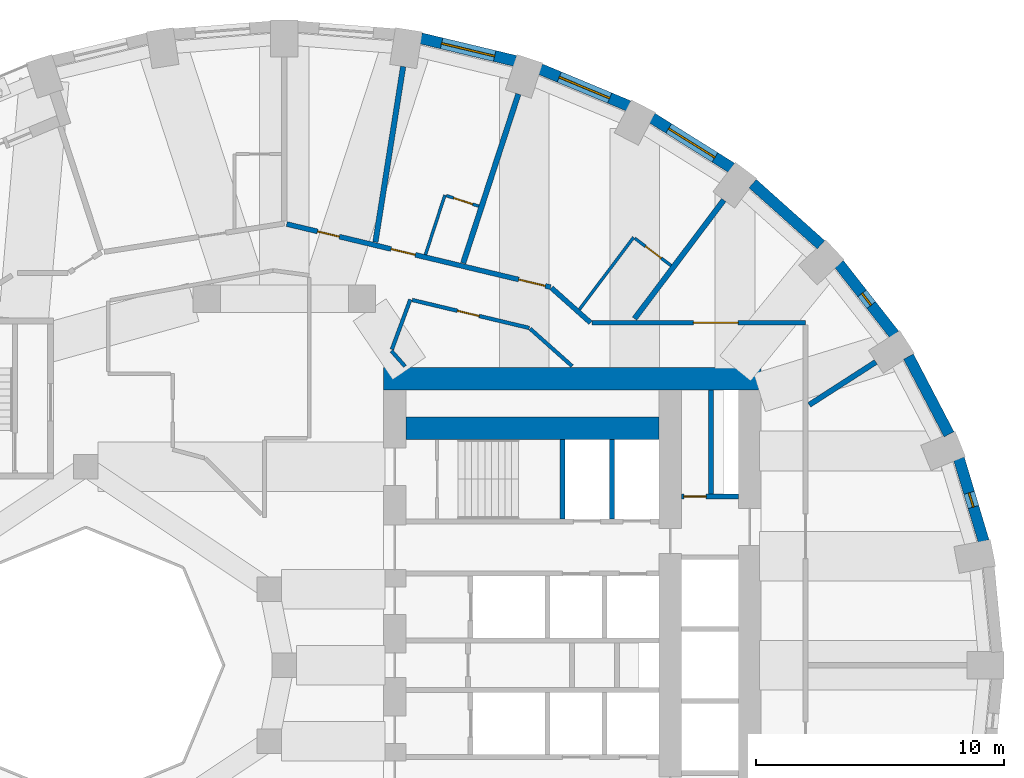
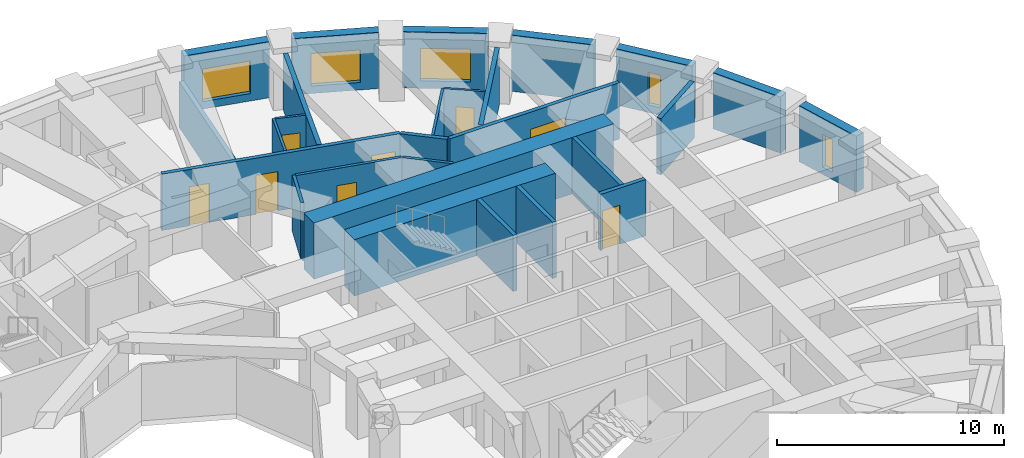
# One storey, part 9 of 13: 28 walls, 8 doors, 5 windows, 13 openings.
"""IFC4 building model written with IfcOpenShell, lengths in metres."""

from ifc_helpers import new_model, si_unit, direction, frame, frame_2d, origin, place, context, subcontext, project, spatial, rectangle, extrude, material, layer, layer_set, type_object, element, fill, save


model = new_model("IFC4")

# Units and contexts
model_context = context("Model", 3, precision=1e-05, world=origin(), true_north=direction((0.0, 1.0)))
body_context = subcontext(model_context, "Body", "Model", "MODEL_VIEW")
ifc_project = project(units=[si_unit("LENGTHUNIT", "METRE"), si_unit("AREAUNIT", "SQUARE_METRE"), si_unit("VOLUMEUNIT", "CUBIC_METRE"), si_unit("PLANEANGLEUNIT", "RADIAN"), si_unit("MASSUNIT", "GRAM", prefix="KILO")], contexts=[model_context])

# Site, building, storey
site_placement = place(None, origin())
site = spatial("IfcSite", under=ifc_project, at=site_placement, CompositionType="ELEMENT")
building_placement = place(site_placement, origin())
building = spatial("IfcBuilding", under=site, at=building_placement, Name="Taillehof Tower", CompositionType="ELEMENT")
storey_placement = place(building_placement, frame((0.0, 0.0, 48.10009765625)))
storey = spatial("IfcBuildingStorey", under=building, at=storey_placement, Name="L12", CompositionType="ELEMENT", Elevation=48.10009765625)

# Wall, opening, window
ifc_material_1 = material(Name="Brick masonry", Category="masonry")
ifc_layer_1 = layer(ifc_material_1, 0.449951171875)
ifc_layer_set_1 = layer_set([ifc_layer_1], Name="Brick infill wall 450")
wall_type_1 = type_object("IfcWallType", Name="Brick infill wall 450", PredefinedType="SOLIDWALL", material=ifc_layer_set_1)
wall_1_placement = place(storey_placement, frame((28.181884765625, 4.995849609375, 0.0), z_axis=(0.0, 0.0, 1.0), x_axis=(-0.287064133733, 0.957911364963, 0.0)))
wall_1 = element("IfcWall", 1, at=wall_1_placement, inside=storey, type_object=wall_type_1, Name="Brick wall L12 bay 2", PredefinedType="SOLIDWALL", context=body_context, shape_type="SweptSolid", body=[
    extrude(rectangle(XDim=3.473388671875, YDim=0.449951171875, at=frame_2d((1.73681640625, 0.0))), origin(), (0.0, 0.0, 1.0), 3.02001953125),
])
opening_1_placement = place(wall_1_placement, frame((1.436767578125, 0.0, 0.39990234375)))
opening_1 = element("IfcOpeningElement", 2, at=opening_1_placement, cuts=wall_1, Name="Opening W6", PredefinedType="OPENING", context=body_context, shape_type="SweptSolid", body=[
    extrude(rectangle(XDim=0.60009765625, YDim=1.75, at=frame_2d((0.300048828125, 0.875))), frame((0.0, 0.23486328125, 0.0), z_axis=(0.0, -1.0, 0.0), x_axis=(1.0, 0.0, 0.0)), (0.0, 0.0, 1.0), 0.469970703125),
])
ifc_material_2 = material(Name="Aluminium window frame with clear double glazing", Category="aluminium")
window_type_1 = type_object("IfcWindowType", Name="Slot window 600x1750", PartitioningType="SINGLE_PANEL", PredefinedType="WINDOW", material=ifc_material_2)
window_1_placement = place(opening_1_placement, origin())
window_1 = element("IfcWindow", 3, at=window_1_placement, inside=storey, type_object=window_type_1, Name="W6", OverallHeight=1.75, OverallWidth=0.60009765625, PartitioningType="SINGLE_PANEL", PredefinedType="WINDOW", context=body_context, shape_type="SweptSolid", body=[
    extrude(rectangle(XDim=0.60009765625, YDim=1.75, at=frame_2d((0.300048828125, 0.875))), frame((0.0, 0.034912109375, 0.0), z_axis=(0.0, -1.0, 0.0), x_axis=(1.0, 0.0, 0.0)), (0.0, 0.0, 1.0), 0.06005859375),
])
fill(opening_1, window_1)

# Wall
wall_2_placement = place(storey_placement, frame((26.78564453125, 9.30517578125, 0.0), z_axis=(0.0, 0.0, 1.0), x_axis=(-0.462492775226, 0.886623050041, 0.0)))
element("IfcWall", 4, at=wall_2_placement, inside=storey, type_object=wall_type_1, Name="Brick wall L12 bay 3", PredefinedType="SOLIDWALL", context=body_context, shape_type="SweptSolid", body=[
    extrude(rectangle(XDim=3.531982421875, YDim=0.449951171875, at=frame_2d((1.76611328125, 0.0))), origin(), (0.0, 0.0, 1.0), 3.02001953125),
])

# Wall, opening, window
wall_3_placement = place(storey_placement, frame((24.57763671875, 13.327880859375, 0.0), z_axis=(0.0, 0.0, 1.0), x_axis=(-0.616661975264, 0.787228053529, 0.0)))
wall_3 = element("IfcWall", 5, at=wall_3_placement, inside=storey, type_object=wall_type_1, Name="Brick wall L12 bay 4", PredefinedType="SOLIDWALL", context=body_context, shape_type="SweptSolid", body=[
    extrude(rectangle(XDim=3.60986328125, YDim=0.449951171875, at=frame_2d((1.804931640625, 0.0))), origin(), (0.0, 0.0, 1.0), 3.02001953125),
])
opening_2_placement = place(wall_3_placement, frame((1.5048828125, 0.0, 0.39990234375)))
opening_2 = element("IfcOpeningElement", 6, at=opening_2_placement, cuts=wall_3, Name="Opening W6", PredefinedType="OPENING", context=body_context, shape_type="SweptSolid", body=[
    extrude(rectangle(XDim=0.60009765625, YDim=1.75, at=frame_2d((0.300048828125, 0.875))), frame((0.0, 0.23486328125, 0.0), z_axis=(0.0, -1.0, 0.0), x_axis=(1.0, 0.0, 0.0)), (0.0, 0.0, 1.0), 0.469970703125),
])
window_2_placement = place(opening_2_placement, origin())
window_2 = element("IfcWindow", 7, at=window_2_placement, inside=storey, type_object=window_type_1, Name="W6", OverallHeight=1.75, OverallWidth=0.60009765625, PartitioningType="SINGLE_PANEL", PredefinedType="WINDOW", context=body_context, shape_type="SweptSolid", body=[
    extrude(rectangle(XDim=0.60009765625, YDim=1.75, at=frame_2d((0.300048828125, 0.875))), frame((0.0, 0.034912109375, 0.0), z_axis=(0.0, -1.0, 0.0), x_axis=(1.0, 0.0, 0.0)), (0.0, 0.0, 1.0), 0.06005859375),
])
fill(opening_2, window_2)

# Wall
wall_4_placement = place(storey_placement, frame((21.626708984375, 16.943115234375, 0.0), z_axis=(0.0, 0.0, 1.0), x_axis=(-0.745526233716, 0.66647628228, 0.0)))
element("IfcWall", 8, at=wall_4_placement, inside=storey, type_object=wall_type_1, Name="Brick wall L12 bay 5", PredefinedType="SOLIDWALL", context=body_context, shape_type="SweptSolid", body=[
    extrude(rectangle(XDim=3.69677734375, YDim=0.449951171875, at=frame_2d((1.848388671875, 0.0))), origin(), (0.0, 0.0, 1.0), 3.02001953125),
])

# Wall, opening, window
wall_5_placement = place(storey_placement, frame((18.02294921875, 20.043701171875, 0.0), z_axis=(0.0, 0.0, 1.0), x_axis=(-0.847635480093, 0.530579016629, 0.0)))
wall_5 = element("IfcWall", 9, at=wall_5_placement, inside=storey, type_object=wall_type_1, Name="Brick wall L12 bay 6", PredefinedType="SOLIDWALL", context=body_context, shape_type="SweptSolid", body=[
    extrude(rectangle(XDim=3.782470703125, YDim=0.449951171875, at=frame_2d((1.89111328125, 0.0))), origin(), (0.0, 0.0, 1.0), 3.02001953125),
])
opening_3_placement = place(wall_5_placement, frame((0.791259765625, 0.0, 0.39990234375)))
opening_3 = element("IfcOpeningElement", 10, at=opening_3_placement, cuts=wall_5, Name="Opening W1", PredefinedType="OPENING", context=body_context, shape_type="SweptSolid", body=[
    extrude(rectangle(XDim=2.199951171875, YDim=1.75, at=frame_2d((1.10009765625, 0.875))), frame((0.0, 0.23486328125, 0.0), z_axis=(0.0, -1.0, 0.0), x_axis=(1.0, 0.0, 0.0)), (0.0, 0.0, 1.0), 0.469970703125),
])
ifc_material_3 = material(Name="Aluminium window frame with clear double glazing", Category="aluminium")
window_type_2 = type_object("IfcWindowType", Name="Deep-set window 2200x1750", PartitioningType="SINGLE_PANEL", PredefinedType="WINDOW", material=ifc_material_3)
window_3_placement = place(opening_3_placement, origin())
window_3 = element("IfcWindow", 11, at=window_3_placement, inside=storey, type_object=window_type_2, Name="W1", OverallHeight=1.75, OverallWidth=2.199951171875, PartitioningType="SINGLE_PANEL", PredefinedType="WINDOW", context=body_context, shape_type="SweptSolid", body=[
    extrude(rectangle(XDim=2.199951171875, YDim=1.75, at=frame_2d((1.10009765625, 0.875))), frame((0.0, 0.034912109375, 0.0), z_axis=(0.0, -1.0, 0.0), x_axis=(1.0, 0.0, 0.0)), (0.0, 0.0, 1.0), 0.06005859375),
])
fill(opening_3, window_3)

wall_6_placement = place(storey_placement, frame((13.875, 22.537353515625, 0.0), z_axis=(0.0, 0.0, 1.0), x_axis=(-0.923031964282, 0.384723267966, 0.0)))
wall_6 = element("IfcWall", 12, at=wall_6_placement, inside=storey, type_object=wall_type_1, Name="Brick wall L12 bay 7", PredefinedType="SOLIDWALL", context=body_context, shape_type="SweptSolid", body=[
    extrude(rectangle(XDim=3.8564453125, YDim=0.449951171875, at=frame_2d((1.92822265625, 0.0))), origin(), (0.0, 0.0, 1.0), 3.02001953125),
])
opening_4_placement = place(wall_6_placement, frame((0.828125, 0.0, 0.39990234375)))
opening_4 = element("IfcOpeningElement", 13, at=opening_4_placement, cuts=wall_6, Name="Opening W1", PredefinedType="OPENING", context=body_context, shape_type="SweptSolid", body=[
    extrude(rectangle(XDim=2.199951171875, YDim=1.75, at=frame_2d((1.10009765625, 0.875))), frame((0.0, 0.23486328125, 0.0), z_axis=(0.0, -1.0, 0.0), x_axis=(1.0, 0.0, 0.0)), (0.0, 0.0, 1.0), 0.469970703125),
])
window_4_placement = place(opening_4_placement, origin())
window_4 = element("IfcWindow", 14, at=window_4_placement, inside=storey, type_object=window_type_2, Name="W1", OverallHeight=1.75, OverallWidth=2.199951171875, PartitioningType="SINGLE_PANEL", PredefinedType="WINDOW", context=body_context, shape_type="SweptSolid", body=[
    extrude(rectangle(XDim=2.199951171875, YDim=1.75, at=frame_2d((1.10009765625, 0.875))), frame((0.0, 0.034912109375, 0.0), z_axis=(0.0, -1.0, 0.0), x_axis=(1.0, 0.0, 0.0)), (0.0, 0.0, 1.0), 0.06005859375),
])
fill(opening_4, window_4)

wall_7_placement = place(storey_placement, frame((9.3076171875, 24.349609375, 0.0), z_axis=(0.0, 0.0, 1.0), x_axis=(-0.972496561493, 0.232917233979, 0.0)))
wall_7 = element("IfcWall", 15, at=wall_7_placement, inside=storey, type_object=wall_type_1, Name="Brick wall L12 bay 8", PredefinedType="SOLIDWALL", context=body_context, shape_type="SweptSolid", body=[
    extrude(rectangle(XDim=3.910888671875, YDim=0.449951171875, at=frame_2d((1.95556640625, 0.0))), origin(), (0.0, 0.0, 1.0), 3.02001953125),
])
opening_5_placement = place(wall_7_placement, frame((0.855224609375, 0.0, 0.39990234375)))
opening_5 = element("IfcOpeningElement", 16, at=opening_5_placement, cuts=wall_7, Name="Opening W1", PredefinedType="OPENING", context=body_context, shape_type="SweptSolid", body=[
    extrude(rectangle(XDim=2.199951171875, YDim=1.75, at=frame_2d((1.10009765625, 0.875))), frame((0.0, 0.23486328125, 0.0), z_axis=(0.0, -1.0, 0.0), x_axis=(1.0, 0.0, 0.0)), (0.0, 0.0, 1.0), 0.469970703125),
])
window_5_placement = place(opening_5_placement, origin())
window_5 = element("IfcWindow", 17, at=window_5_placement, inside=storey, type_object=window_type_2, Name="W1", OverallHeight=1.75, OverallWidth=2.199951171875, PartitioningType="SINGLE_PANEL", PredefinedType="WINDOW", context=body_context, shape_type="SweptSolid", body=[
    extrude(rectangle(XDim=2.199951171875, YDim=1.75, at=frame_2d((1.10009765625, 0.875))), frame((0.0, 0.034912109375, 0.0), z_axis=(0.0, -1.0, 0.0), x_axis=(1.0, 0.0, 0.0)), (0.0, 0.0, 1.0), 0.06005859375),
])
fill(opening_5, window_5)

# Wall, opening, door
ifc_material_4 = material(Name="Calcium silicate masonry", Category="masonry")
ifc_layer_2 = layer(ifc_material_4, 0.199951171875)
ifc_layer_set_2 = layer_set([ifc_layer_2], Name="Compartment wall calcium silicate 200")
wall_type_2 = type_object("IfcWallType", Name="Compartment wall calcium silicate 200", PredefinedType="PARTITIONING", material=ifc_layer_set_2)
wall_8_placement = place(storey_placement, frame((16.0, 6.800048828125, 0.0), z_axis=(0.0, 0.0, 1.0), x_axis=(1.0, 0.0, 0.0)))
wall_8 = element("IfcWall", 18, at=wall_8_placement, inside=storey, type_object=wall_type_2, Name="Compartment wall FW", PredefinedType="PARTITIONING", context=body_context, shape_type="SweptSolid", body=[
    extrude(rectangle(XDim=2.300048828125, YDim=0.199951171875, at=frame_2d((1.14990234375, 0.0))), origin(), (0.0, 0.0, 1.0), 3.02001953125),
])
opening_6_placement = place(wall_8_placement, frame((0.10009765625, 0.0, 0.0)))
opening_6 = element("IfcOpeningElement", 19, at=opening_6_placement, cuts=wall_8, Name="Opening D1216", PredefinedType="OPENING", context=body_context, shape_type="SweptSolid", body=[
    extrude(rectangle(XDim=0.89990234375, YDim=2.10009765625, at=frame_2d((0.449951171875, 1.050048828125))), frame((0.0, 0.10986328125, 0.0), z_axis=(0.0, -1.0, 0.0), x_axis=(1.0, 0.0, 0.0)), (0.0, 0.0, 1.0), 0.219970703125),
])
ifc_material_5 = material(Name="Steel-faced fire door", Category="steel")
door_type_1 = type_object("IfcDoorType", Name="Riser and service room door 900x2100", OperationType="SINGLE_SWING_LEFT", PredefinedType="DOOR", material=ifc_material_5)
door_1_placement = place(opening_6_placement, origin())
door_1 = element("IfcDoor", 20, at=door_1_placement, inside=storey, type_object=door_type_1, Name="Door Housekeeping Store", OperationType="SINGLE_SWING_RIGHT", OverallHeight=2.10009765625, OverallWidth=0.89990234375, PredefinedType="DOOR", context=body_context, shape_type="SweptSolid", body=[
    extrude(rectangle(XDim=0.89990234375, YDim=2.10009765625, at=frame_2d((0.449951171875, 1.050048828125))), frame((0.0, 0.02490234375, 0.0), z_axis=(0.0, -1.0, 0.0), x_axis=(1.0, 0.0, 0.0)), (0.0, 0.0, 1.0), 0.050048828125),
])
fill(opening_6, door_1)

# Wall
wall_9_placement = place(storey_placement, frame((17.199951171875, 6.89990234375, 0.0), z_axis=(0.0, 0.0, 1.0), x_axis=(0.0, 1.0, 0.0)))
element("IfcWall", 21, at=wall_9_placement, inside=storey, type_object=wall_type_2, Name="Compartment wall FW", PredefinedType="PARTITIONING", context=body_context, shape_type="SweptSolid", body=[
    extrude(rectangle(XDim=4.2001953125, YDim=0.199951171875, at=frame_2d((2.10009765625, 0.0))), origin(), (0.0, 0.0, 1.0), 3.02001953125),
])

# Wall, openings, doors
ifc_material_6 = material(Name="Gypsum board on steel studs, two layers each side", Category="steel")
ifc_layer_3 = layer(ifc_material_6, 0.199951171875)
ifc_layer_set_3 = layer_set([ifc_layer_3], Name="Compartment wall corridor 200")
wall_type_3 = type_object("IfcWallType", Name="Compartment wall corridor 200", PredefinedType="PARTITIONING", material=ifc_layer_set_3)
wall_10_placement = place(storey_placement, frame((0.09765625, 17.77685546875, 0.0), z_axis=(0.0, 0.0, 1.0), x_axis=(0.97258196627, -0.232560355362, 0.0)))
wall_10 = element("IfcWall", 22, at=wall_10_placement, inside=storey, type_object=wall_type_3, Name="Compartment wall", PredefinedType="PARTITIONING", context=body_context, shape_type="SweptSolid", body=[
    extrude(rectangle(XDim=10.9326171875, YDim=0.199951171875, at=frame_2d((5.46630859375, 0.0))), origin(), (0.0, 0.0, 1.0), 3.02001953125),
])
opening_7_placement = place(wall_10_placement, frame((9.612548828125, 0.0, 0.0)))
opening_7 = element("IfcOpeningElement", 23, at=opening_7_placement, cuts=wall_10, Name="Opening D1240", PredefinedType="OPENING", context=body_context, shape_type="SweptSolid", body=[
    extrude(rectangle(XDim=1.10009765625, YDim=2.10009765625, at=frame_2d((0.550048828125, 1.050048828125))), frame((0.0, 0.10986328125, 0.0), z_axis=(0.0, -1.0, 0.0), x_axis=(1.0, 0.0, 0.0)), (0.0, 0.0, 1.0), 0.219970703125),
])
opening_8_placement = place(wall_10_placement, frame((4.32470703125, 0.0, 0.0)))
opening_8 = element("IfcOpeningElement", 24, at=opening_8_placement, cuts=wall_10, Name="Opening D1242", PredefinedType="OPENING", context=body_context, shape_type="SweptSolid", body=[
    extrude(rectangle(XDim=1.0, YDim=2.10009765625, at=frame_2d((0.5, 1.050048828125))), frame((0.0, 0.10986328125, 0.0), z_axis=(0.0, -1.0, 0.0), x_axis=(1.0, 0.0, 0.0)), (0.0, 0.0, 1.0), 0.219970703125),
])
opening_9_placement = place(wall_10_placement, frame((1.27587890625, 0.0, 0.0)))
opening_9 = element("IfcOpeningElement", 25, at=opening_9_placement, cuts=wall_10, Name="Opening D1244", PredefinedType="OPENING", context=body_context, shape_type="SweptSolid", body=[
    extrude(rectangle(XDim=0.89990234375, YDim=2.10009765625, at=frame_2d((0.449951171875, 1.050048828125))), frame((0.0, 0.10986328125, 0.0), z_axis=(0.0, -1.0, 0.0), x_axis=(1.0, 0.0, 0.0)), (0.0, 0.0, 1.0), 0.219970703125),
])
ifc_material_7 = material(Name="Timber door leaf in steel frame", Category="steel")
door_type_2 = type_object("IfcDoorType", Name="Guest room door EI 30 1000 x 2100", OperationType="SINGLE_SWING_LEFT", PredefinedType="DOOR", material=ifc_material_7)
door_2_placement = place(opening_8_placement, origin())
door_2 = element("IfcDoor", 26, at=door_2_placement, inside=storey, type_object=door_type_2, Name="D1242", OperationType="SINGLE_SWING_RIGHT", OverallHeight=2.10009765625, OverallWidth=1.0, PredefinedType="DOOR", context=body_context, shape_type="SweptSolid", body=[
    extrude(rectangle(XDim=1.0, YDim=2.10009765625, at=frame_2d((0.5, 1.050048828125))), frame((0.0, 0.02490234375, 0.0), z_axis=(0.0, -1.0, 0.0), x_axis=(1.0, 0.0, 0.0)), (0.0, 0.0, 1.0), 0.050048828125),
])
fill(opening_8, door_2)
ifc_material_8 = material(Name="Timber door leaf in steel frame", Category="steel")
door_type_3 = type_object("IfcDoorType", Name="Service room door EI 30 900 x 2100", OperationType="SINGLE_SWING_LEFT", PredefinedType="DOOR", material=ifc_material_8)
door_3_placement = place(opening_9_placement, origin())
door_3 = element("IfcDoor", 27, at=door_3_placement, inside=storey, type_object=door_type_3, Name="D1244", OperationType="SINGLE_SWING_LEFT", OverallHeight=2.10009765625, OverallWidth=0.89990234375, PredefinedType="DOOR", context=body_context, shape_type="SweptSolid", body=[
    extrude(rectangle(XDim=0.89990234375, YDim=2.10009765625, at=frame_2d((0.449951171875, 1.050048828125))), frame((0.0, 0.02490234375, 0.0), z_axis=(0.0, -1.0, 0.0), x_axis=(1.0, 0.0, 0.0)), (0.0, 0.0, 1.0), 0.050048828125),
])
fill(opening_9, door_3)
ifc_material_9 = material(Name="Timber door leaf in steel frame", Category="steel")
door_type_4 = type_object("IfcDoorType", Name="Suite entrance door EI 30 1100 x 2100", OperationType="SINGLE_SWING_LEFT", PredefinedType="DOOR", material=ifc_material_9)
door_4_placement = place(opening_7_placement, origin())
door_4 = element("IfcDoor", 28, at=door_4_placement, inside=storey, type_object=door_type_4, Name="D1240", OperationType="SINGLE_SWING_LEFT", OverallHeight=2.10009765625, OverallWidth=1.10009765625, PredefinedType="DOOR", context=body_context, shape_type="SweptSolid", body=[
    extrude(rectangle(XDim=1.10009765625, YDim=2.10009765625, at=frame_2d((0.550048828125, 1.050048828125))), frame((0.0, 0.02490234375, 0.0), z_axis=(0.0, -1.0, 0.0), x_axis=(1.0, 0.0, 0.0)), (0.0, 0.0, 1.0), 0.050048828125),
])
fill(opening_7, door_4)

# Wall
wall_11_placement = place(storey_placement, frame((10.76025390625, 15.2080078125, 0.0), z_axis=(0.0, 0.0, 1.0), x_axis=(0.746600460158, -0.665272690626, 0.0)))
element("IfcWall", 29, at=wall_11_placement, inside=storey, type_object=wall_type_3, Name="Compartment wall", PredefinedType="PARTITIONING", context=body_context, shape_type="SweptSolid", body=[
    extrude(rectangle(XDim=2.116455078125, YDim=0.199951171875, at=frame_2d((1.05810546875, 0.0))), origin(), (0.0, 0.0, 1.0), 3.02001953125),
])

# Wall, opening, door
wall_12_placement = place(storey_placement, frame((12.400390625, 13.800048828125, 0.0), z_axis=(0.0, 0.0, 1.0), x_axis=(1.0, 0.0, 0.0)))
wall_12 = element("IfcWall", 30, at=wall_12_placement, inside=storey, type_object=wall_type_3, Name="Compartment wall", PredefinedType="PARTITIONING", context=body_context, shape_type="SweptSolid", body=[
    extrude(rectangle(XDim=8.599609375, YDim=0.199951171875, at=frame_2d((4.2998046875, 0.0))), origin(), (0.0, 0.0, 1.0), 3.02001953125),
])
opening_10_placement = place(wall_12_placement, frame((4.083984375, 0.0, 0.0)))
opening_10 = element("IfcOpeningElement", 31, at=opening_10_placement, cuts=wall_12, Name="Opening D1269", PredefinedType="OPENING", context=body_context, shape_type="SweptSolid", body=[
    extrude(rectangle(XDim=1.800048828125, YDim=2.10009765625, at=frame_2d((0.89990234375, 1.050048828125))), frame((0.0, 0.10986328125, 0.0), z_axis=(0.0, -1.0, 0.0), x_axis=(1.0, 0.0, 0.0)), (0.0, 0.0, 1.0), 0.219970703125),
])
ifc_material_10 = material(Name="Timber door leaf in steel frame", Category="steel")
door_type_5 = type_object("IfcDoorType", Name="Lounge and meeting room double door EI 30 1800 x 2100", OperationType="SINGLE_SWING_LEFT", PredefinedType="DOOR", material=ifc_material_10)
door_5_placement = place(opening_10_placement, origin())
door_5 = element("IfcDoor", 32, at=door_5_placement, inside=storey, type_object=door_type_5, Name="D1269", OperationType="DOUBLE_DOOR_SINGLE_SWING", OverallHeight=2.10009765625, OverallWidth=1.800048828125, PredefinedType="DOOR", context=body_context, shape_type="SweptSolid", body=[
    extrude(rectangle(XDim=1.800048828125, YDim=2.10009765625, at=frame_2d((0.89990234375, 1.050048828125))), frame((0.0, 0.02490234375, 0.0), z_axis=(0.0, -1.0, 0.0), x_axis=(1.0, 0.0, 0.0)), (0.0, 0.0, 1.0), 0.050048828125),
])
fill(opening_10, door_5)

# Walls
ifc_material_11 = material(Name="Gypsum board on double steel studs with mineral wool", Category="steel")
ifc_layer_4 = layer(ifc_material_11, 0.219970703125)
ifc_layer_set_4 = layer_set([ifc_layer_4], Name="Compartment wall guest room 220")
wall_type_4 = type_object("IfcWallType", Name="Compartment wall guest room 220", PredefinedType="PARTITIONING", material=ifc_layer_set_4)
wall_13_placement = place(storey_placement, frame((23.834716796875, 12.218994140625, 0.0), z_axis=(0.0, 0.0, 1.0), x_axis=(-0.840711059677, -0.541483992503, 0.0)))
element("IfcWall", 33, at=wall_13_placement, inside=storey, type_object=wall_type_4, Name="Compartment wall", PredefinedType="PARTITIONING", context=body_context, shape_type="SweptSolid", body=[
    extrude(rectangle(XDim=3.192626953125, YDim=0.219970703125, at=frame_2d((1.59619140625, 0.0))), origin(), (0.0, 0.0, 1.0), 3.02001953125),
])
wall_14_placement = place(storey_placement, frame((17.707763671875, 18.7431640625, 0.0), z_axis=(0.0, 0.0, 1.0), x_axis=(-0.601181461694, -0.799112539081, 0.0)))
element("IfcWall", 34, at=wall_14_placement, inside=storey, type_object=wall_type_4, Name="Compartment wall", PredefinedType="PARTITIONING", context=body_context, shape_type="SweptSolid", body=[
    extrude(rectangle(XDim=5.98095703125, YDim=0.219970703125, at=frame_2d((2.990478515625, 0.0))), origin(), (0.0, 0.0, 1.0), 3.02001953125),
])
wall_15_placement = place(storey_placement, frame((9.429443359375, 23.01416015625, 0.0), z_axis=(0.0, 0.0, 1.0), x_axis=(-0.310212691368, -0.950667179466, 0.0)))
element("IfcWall", 35, at=wall_15_placement, inside=storey, type_object=wall_type_4, Name="Compartment wall", PredefinedType="PARTITIONING", context=body_context, shape_type="SweptSolid", body=[
    extrude(rectangle(XDim=7.167236328125, YDim=0.219970703125, at=frame_2d((3.58349609375, 0.0))), origin(), (0.0, 0.0, 1.0), 3.02001953125),
])
wall_16_placement = place(storey_placement, frame((4.788330078125, 24.12548828125, 0.0), z_axis=(0.0, 0.0, 1.0), x_axis=(-0.156146236489, -0.987733948404, 0.0)))
element("IfcWall", 36, at=wall_16_placement, inside=storey, type_object=wall_type_4, Name="Compartment wall", PredefinedType="PARTITIONING", context=body_context, shape_type="SweptSolid", body=[
    extrude(rectangle(XDim=7.167236328125, YDim=0.219970703125, at=frame_2d((3.58349609375, 0.0))), origin(), (0.0, 0.0, 1.0), 2.469970703125),
])
ifc_material_12 = material(Name="Gypsum board on steel studs, two layers each side", Category="steel")
ifc_layer_5 = layer(ifc_material_12, 0.14990234375)
ifc_layer_set_5 = layer_set([ifc_layer_5], Name="Compartment wall service room 150")
wall_type_5 = type_object("IfcWallType", Name="Compartment wall service room 150", PredefinedType="PARTITIONING", material=ifc_layer_set_5)
wall_17_placement = place(storey_placement, frame((4.864501953125, 12.04150390625, 0.0), z_axis=(0.0, 0.0, 1.0), x_axis=(-0.660014599896, 0.751252772323, 0.0)))
element("IfcWall", 37, at=wall_17_placement, inside=storey, type_object=wall_type_5, Name="Compartment wall", PredefinedType="PARTITIONING", context=body_context, shape_type="SweptSolid", body=[
    extrude(rectangle(XDim=0.8349609375, YDim=0.14990234375, at=frame_2d((0.41748046875, 0.0))), origin(), (0.0, 0.0, 1.0), 2.56982421875),
])
wall_18_placement = place(storey_placement, frame((4.333984375, 12.72509765625, 0.0), z_axis=(0.0, 0.0, 1.0), x_axis=(0.346111853175, 0.938193255727, 0.0)))
element("IfcWall", 38, at=wall_18_placement, inside=storey, type_object=wall_type_5, Name="Compartment wall", PredefinedType="PARTITIONING", context=body_context, shape_type="SweptSolid", body=[
    extrude(rectangle(XDim=2.14306640625, YDim=0.14990234375, at=frame_2d((1.071533203125, 0.0))), origin(), (0.0, 0.0, 1.0), 3.02001953125),
])

# Wall, opening, door
wall_19_placement = place(storey_placement, frame((5.15380859375, 14.717041015625, 0.0), z_axis=(0.0, 0.0, 1.0), x_axis=(0.972587058657, -0.232539057651, 0.0)))
wall_19 = element("IfcWall", 39, at=wall_19_placement, inside=storey, type_object=wall_type_5, Name="Compartment wall", PredefinedType="PARTITIONING", context=body_context, shape_type="SweptSolid", body=[
    extrude(rectangle(XDim=4.8505859375, YDim=0.14990234375, at=frame_2d((2.42529296875, 0.0))), origin(), (0.0, 0.0, 1.0), 3.02001953125),
])
opening_11_placement = place(wall_19_placement, frame((1.8720703125, 0.0, 0.0)))
opening_11 = element("IfcOpeningElement", 40, at=opening_11_placement, cuts=wall_19, Name="Opening D1271", PredefinedType="OPENING", context=body_context, shape_type="SweptSolid", body=[
    extrude(rectangle(XDim=0.89990234375, YDim=2.10009765625, at=frame_2d((0.449951171875, 1.050048828125))), frame((0.0, 0.0849609375, 0.0), z_axis=(0.0, -1.0, 0.0), x_axis=(1.0, 0.0, 0.0)), (0.0, 0.0, 1.0), 0.169921875),
])
door_6_placement = place(opening_11_placement, origin())
door_6 = element("IfcDoor", 41, at=door_6_placement, inside=storey, type_object=door_type_3, Name="D1271", OperationType="SINGLE_SWING_RIGHT", OverallHeight=2.10009765625, OverallWidth=0.89990234375, PredefinedType="DOOR", context=body_context, shape_type="SweptSolid", body=[
    extrude(rectangle(XDim=0.89990234375, YDim=2.10009765625, at=frame_2d((0.449951171875, 1.050048828125))), frame((0.0, 0.02490234375, 0.0), z_axis=(0.0, -1.0, 0.0), x_axis=(1.0, 0.0, 0.0)), (0.0, 0.0, 1.0), 0.050048828125),
])
fill(opening_11, door_6)

# Walls
wall_20_placement = place(storey_placement, frame((9.901123046875, 13.562255859375, 0.0), z_axis=(0.0, 0.0, 1.0), x_axis=(0.746696753395, -0.665164610054, 0.0)))
element("IfcWall", 42, at=wall_20_placement, inside=storey, type_object=wall_type_5, Name="Compartment wall", PredefinedType="PARTITIONING", context=body_context, shape_type="SweptSolid", body=[
    extrude(rectangle(XDim=2.269775390625, YDim=0.14990234375, at=frame_2d((1.134765625, 0.0))), origin(), (0.0, 0.0, 1.0), 3.02001953125),
])
ifc_material_13 = material(Name="Concrete C80/95", Category="concrete")
ifc_layer_6 = layer(ifc_material_13, 0.89990234375)
ifc_layer_set_6 = layer_set([ifc_layer_6], Name="Core wall C80/95 900")
wall_type_6 = type_object("IfcWallType", Name="Core wall C80/95 900", PredefinedType="SHEAR", material=ifc_layer_set_6)
wall_21_placement = place(storey_placement, frame((4.0, 11.550048828125, 0.0), z_axis=(0.0, 0.0, 1.0), x_axis=(1.0, 0.0, 0.0)))
element("IfcWall", 43, at=wall_21_placement, inside=storey, type_object=wall_type_6, Name="Core wall CW03", PredefinedType="SHEAR", context=body_context, shape_type="SweptSolid", body=[
    extrude(rectangle(XDim=15.199951171875, YDim=0.89990234375, at=frame_2d((7.60009765625, 0.0))), origin(), (0.0, 0.0, 1.0), 3.02001953125),
])
wall_22_placement = place(storey_placement, frame((4.89990234375, 9.550048828125, 0.0), z_axis=(0.0, 0.0, 1.0), x_axis=(1.0, 0.0, 0.0)))
element("IfcWall", 44, at=wall_22_placement, inside=storey, type_object=wall_type_6, Name="Core wall CW06", PredefinedType="SHEAR", context=body_context, shape_type="SweptSolid", body=[
    extrude(rectangle(XDim=10.2001953125, YDim=0.89990234375, at=frame_2d((5.10009765625, 0.0))), origin(), (0.0, 0.0, 1.0), 3.02001953125),
])
ifc_material_14 = material(Name="Gypsum board on steel studs, moisture resistant", Category="steel")
ifc_layer_7 = layer(ifc_material_14, 0.1201171875)
ifc_layer_set_7 = layer_set([ifc_layer_7], Name="En-suite wall 120")
wall_type_7 = type_object("IfcWallType", Name="En-suite wall 120", PredefinedType="PARTITIONING", material=ifc_layer_set_7)
wall_23_placement = place(storey_placement, frame((11.889404296875, 14.335693359375, 0.0), z_axis=(0.0, 0.0, 1.0), x_axis=(0.601160173805, 0.799128553758, 0.0)))
element("IfcWall", 45, at=wall_23_placement, inside=storey, type_object=wall_type_7, Name="En-suite wall", PredefinedType="PARTITIONING", context=body_context, shape_type="SweptSolid", body=[
    extrude(rectangle(XDim=3.63427734375, YDim=0.1201171875, at=frame_2d((1.817138671875, 0.0))), origin(), (0.0, 0.0, 1.0), 3.02001953125),
])
wall_24_placement = place(storey_placement, frame((5.687255859375, 16.54296875, 0.0), z_axis=(0.0, 0.0, 1.0), x_axis=(0.310246659943, 0.950656094492, 0.0)))
element("IfcWall", 46, at=wall_24_placement, inside=storey, type_object=wall_type_7, Name="En-suite wall", PredefinedType="PARTITIONING", context=body_context, shape_type="SweptSolid", body=[
    extrude(rectangle(XDim=2.525146484375, YDim=0.1201171875, at=frame_2d((1.2626953125, 0.0))), origin(), (0.0, 0.0, 1.0), 3.02001953125),
])

# Wall, opening, door
wall_25_placement = place(storey_placement, frame((14.1220703125, 17.203857421875, 0.0), z_axis=(0.0, 0.0, 1.0), x_axis=(0.799134663307, -0.601152052231, 0.0)))
wall_25 = element("IfcWall", 47, at=wall_25_placement, inside=storey, type_object=wall_type_7, Name="En-suite wall", PredefinedType="PARTITIONING", context=body_context, shape_type="SweptSolid", body=[
    extrude(rectangle(XDim=1.830078125, YDim=0.1201171875, at=frame_2d((0.9150390625, 0.0))), origin(), (0.0, 0.0, 1.0), 3.02001953125),
])
opening_12_placement = place(wall_25_placement, frame((0.5400390625, 0.0, 0.0)))
opening_12 = element("IfcOpeningElement", 48, at=opening_12_placement, cuts=wall_25, Name="Opening D1241", PredefinedType="OPENING", context=body_context, shape_type="SweptSolid", body=[
    extrude(rectangle(XDim=0.800048828125, YDim=2.10009765625, at=frame_2d((0.39990234375, 1.050048828125))), frame((0.0, 0.070068359375, 0.0), z_axis=(0.0, -1.0, 0.0), x_axis=(1.0, 0.0, 0.0)), (0.0, 0.0, 1.0), 0.14013671875),
])
ifc_material_15 = material(Name="Timber door leaf in steel frame", Category="steel")
door_type_6 = type_object("IfcDoorType", Name="En-suite door 800 x 2100", OperationType="SINGLE_SWING_LEFT", PredefinedType="DOOR", material=ifc_material_15)
door_7_placement = place(opening_12_placement, origin())
door_7 = element("IfcDoor", 49, at=door_7_placement, inside=storey, type_object=door_type_6, Name="D1241", OperationType="SINGLE_SWING_RIGHT", OverallHeight=2.10009765625, OverallWidth=0.800048828125, PredefinedType="DOOR", context=body_context, shape_type="SweptSolid", body=[
    extrude(rectangle(XDim=0.800048828125, YDim=2.10009765625, at=frame_2d((0.39990234375, 1.050048828125))), frame((0.0, 0.02490234375, 0.0), z_axis=(0.0, -1.0, 0.0), x_axis=(1.0, 0.0, 0.0)), (0.0, 0.0, 1.0), 0.050048828125),
])
fill(opening_12, door_7)

wall_26_placement = place(storey_placement, frame((6.52783203125, 18.925048828125, 0.0), z_axis=(0.0, 0.0, 1.0), x_axis=(0.950628893115, -0.310329997864, 0.0)))
wall_26 = element("IfcWall", 50, at=wall_26_placement, inside=storey, type_object=wall_type_7, Name="En-suite wall", PredefinedType="PARTITIONING", context=body_context, shape_type="SweptSolid", body=[
    extrude(rectangle(XDim=1.3798828125, YDim=0.1201171875, at=frame_2d((0.68994140625, 0.0))), origin(), (0.0, 0.0, 1.0), 3.02001953125),
])
opening_13_placement = place(wall_26_placement, frame((0.31494140625, 0.0, 0.0)))
opening_13 = element("IfcOpeningElement", 51, at=opening_13_placement, cuts=wall_26, Name="Opening D1243", PredefinedType="OPENING", context=body_context, shape_type="SweptSolid", body=[
    extrude(rectangle(XDim=0.800048828125, YDim=2.10009765625, at=frame_2d((0.39990234375, 1.050048828125))), frame((0.0, 0.070068359375, 0.0), z_axis=(0.0, -1.0, 0.0), x_axis=(1.0, 0.0, 0.0)), (0.0, 0.0, 1.0), 0.14013671875),
])
door_8_placement = place(opening_13_placement, origin())
door_8 = element("IfcDoor", 52, at=door_8_placement, inside=storey, type_object=door_type_6, Name="D1243", OperationType="SINGLE_SWING_RIGHT", OverallHeight=2.10009765625, OverallWidth=0.800048828125, PredefinedType="DOOR", context=body_context, shape_type="SweptSolid", body=[
    extrude(rectangle(XDim=0.800048828125, YDim=2.10009765625, at=frame_2d((0.39990234375, 1.050048828125))), frame((0.0, 0.02490234375, 0.0), z_axis=(0.0, -1.0, 0.0), x_axis=(1.0, 0.0, 0.0)), (0.0, 0.0, 1.0), 0.050048828125),
])
fill(opening_13, door_8)

# Walls
ifc_material_16 = material(Name="Concrete C50/60", Category="concrete")
ifc_layer_8 = layer(ifc_material_16, 0.199951171875)
ifc_layer_set_8 = layer_set([ifc_layer_8], Name="Shaft wall C50/60 200")
wall_type_8 = type_object("IfcWallType", Name="Shaft wall C50/60 200", PredefinedType="SHEAR", material=ifc_layer_set_8)
for number, where, z_axis, x_axis, name in (
    (53, (11.199951171875, 5.89990234375, 0.0), (0.0, 0.0, 1.0), (0.0, 1.0, 0.0), "Shaft wall SW"),
    (54, (13.199951171875, 5.89990234375, 0.0), (0.0, 0.0, 1.0), (0.0, 1.0, 0.0), "Shaft wall SW"),
):
    element("IfcWall", number, at=place(storey_placement, frame(where, z_axis=z_axis, x_axis=x_axis)), inside=storey, type_object=wall_type_8, Name=name, PredefinedType="SHEAR", context=body_context, shape_type="SweptSolid", body=[
        extrude(rectangle(XDim=3.2001953125, YDim=0.199951171875, at=frame_2d((1.60009765625, 0.0))), origin(), (0.0, 0.0, 1.0), 3.02001953125),
    ])

save(model, "model.ifc")
